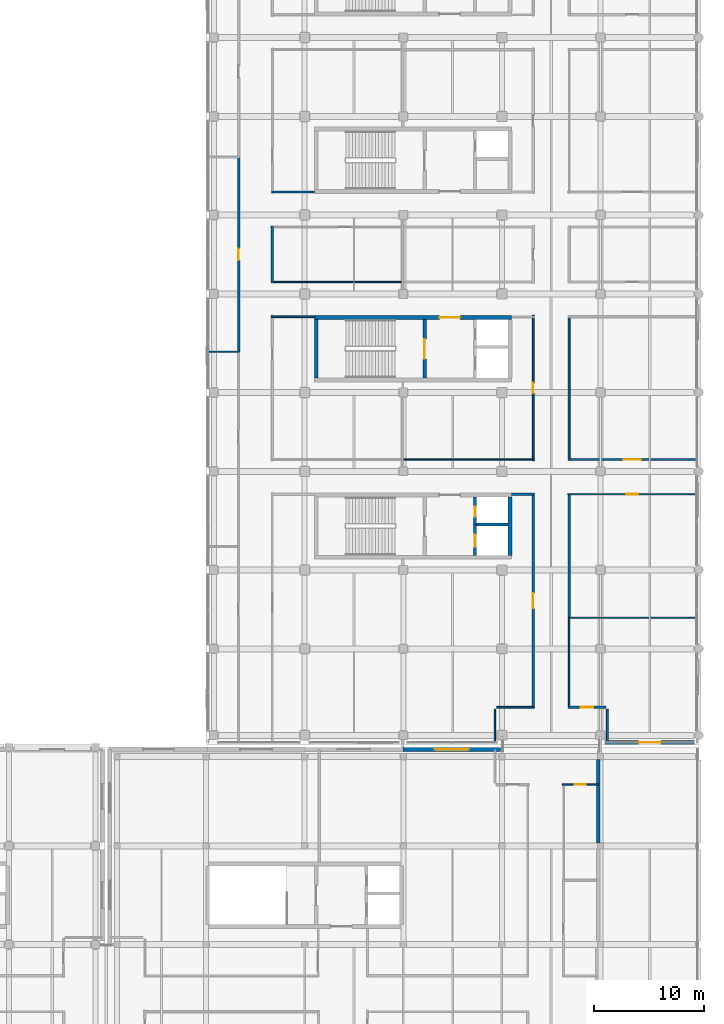
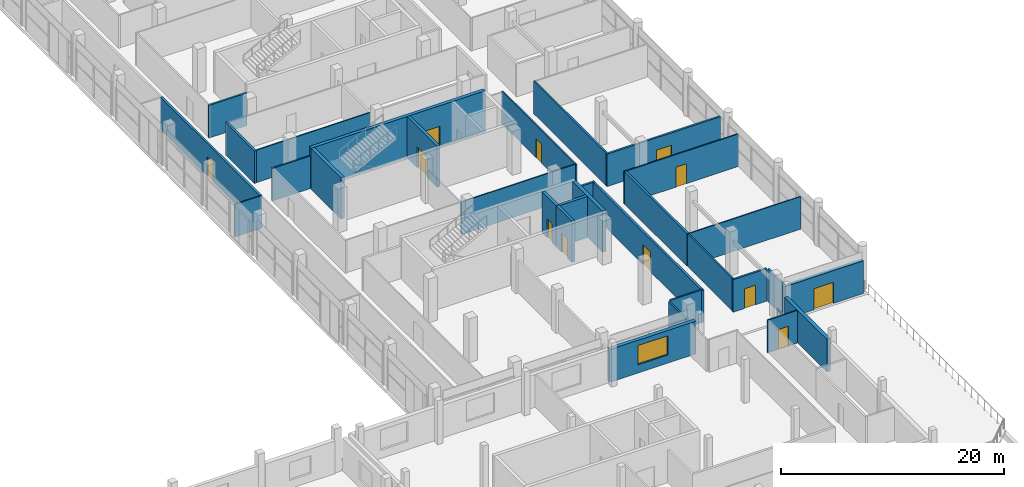
# One storey, part 77 of 111: 31 walls, 12 doors, 1 window, 13 openings.
"""IFC4 building model written with IfcOpenShell, lengths in metres."""

from ifc_helpers import new_model, si_unit, direction, frame, frame_2d, origin, place, context, subcontext, project, spatial, rectangle, extrude, material, layer, layer_set, type_object, element, fill, save


model = new_model("IFC4")

# Units and contexts
model_context = context("Model", 3, precision=1e-05, world=origin(), true_north=direction((0.0, 1.0)))
body_context = subcontext(model_context, "Body", "Model", "MODEL_VIEW")
ifc_project = project(units=[si_unit("LENGTHUNIT", "METRE"), si_unit("AREAUNIT", "SQUARE_METRE"), si_unit("VOLUMEUNIT", "CUBIC_METRE"), si_unit("PLANEANGLEUNIT", "RADIAN"), si_unit("MASSUNIT", "GRAM", prefix="KILO"), si_unit("THERMODYNAMICTEMPERATUREUNIT", "KELVIN"), si_unit("POWERUNIT", "WATT")], contexts=[model_context])

# Site, building, storey
site_placement = place(None, origin())
site = spatial("IfcSite", under=ifc_project, at=site_placement, CompositionType="ELEMENT")
building_placement = place(site_placement, origin())
building = spatial("IfcBuilding", under=site, at=building_placement, Name="Sindhuravela Promenade Stadium", CompositionType="ELEMENT")
storey_placement = place(building_placement, frame((0.0, 0.0, 9.60009765625)))
storey = spatial("IfcBuildingStorey", under=building, at=storey_placement, Name="L02", CompositionType="ELEMENT", Elevation=9.60009765625)

# Wall, opening, door
ifc_material_1 = material(Name="Terracotta clay brick masonry (15 MPa)", Category="masonry")
ifc_layer_1 = layer(ifc_material_1, 0.340087890625)
ifc_layer_set_1 = layer_set([ifc_layer_1], Name="Terracotta clay brick masonry (15 MPa)")
wall_type_1 = type_object("IfcWallType", Name="EX-WL-BRK340", PredefinedType="SOLIDWALL", material=ifc_layer_set_1)
wall_1_placement = place(storey_placement, frame((215.594970703125, 36.449951171875, 0.0), z_axis=(0.0, 0.0, 1.0), x_axis=(-1.0, 0.0, 0.0)))
wall_1 = element("IfcWall", 1, at=wall_1_placement, inside=storey, type_object=wall_type_1, Name="Exterior masonry wall EW06 EAST L02", PredefinedType="SOLIDWALL", context=body_context, shape_type="SweptSolid", body=[
    extrude(rectangle(XDim=8.18994140625, YDim=0.340087890625, at=frame_2d((4.094970703125, 0.0))), origin(), (0.0, 0.0, 1.0), 3.579833984375),
])
opening_1_placement = place(wall_1_placement, frame((3.070068359375, 0.0, 0.0)))
opening_1 = element("IfcOpeningElement", 2, at=opening_1_placement, cuts=wall_1, Name="Opening TD01", PredefinedType="OPENING", context=body_context, shape_type="SweptSolid", body=[
    extrude(rectangle(XDim=2.050048828125, YDim=2.300048828125, at=frame_2d((1.02490234375, 1.14990234375))), frame((0.0, 0.179931640625, 0.0), z_axis=(0.0, -1.0, 0.0), x_axis=(1.0, 0.0, 0.0)), (0.0, 0.0, 1.0), 0.360107421875),
])
ifc_material_2 = material(Name="Anodised architectural aluminium 6063-T6", Category="aluminium")
door_type_1 = type_object("IfcDoorType", Name="DR-TER-2050x2300", OperationType="DOUBLE_DOOR_SINGLE_SWING", PredefinedType="DOOR", material=ifc_material_2)
door_1_placement = place(opening_1_placement, origin())
door_1 = element("IfcDoor", 3, at=door_1_placement, inside=storey, type_object=door_type_1, Name="Terrace access door SE Pavilion East Terrace", OperationType="DOUBLE_DOOR_SINGLE_SWING", OverallHeight=2.300048828125, OverallWidth=2.050048828125, PredefinedType="DOOR", context=body_context, shape_type="SweptSolid", body=[
    extrude(rectangle(XDim=2.050048828125, YDim=2.300048828125, at=frame_2d((1.02490234375, 1.14990234375))), frame((0.0, 0.02490234375, 0.0), z_axis=(0.0, -1.0, 0.0), x_axis=(1.0, 0.0, 0.0)), (0.0, 0.0, 1.0), 0.050048828125),
])
fill(opening_1, door_1)

# Wall
ifc_layer_2 = layer(ifc_material_1, 0.360107421875)
ifc_layer_set_2 = layer_set([ifc_layer_2], Name="Terracotta clay brick masonry (15 MPa)")
wall_type_2 = type_object("IfcWallType", Name="EX-WL-BRK360", PredefinedType="SOLIDWALL", material=ifc_layer_set_2)
wall_2_placement = place(storey_placement, frame((206.800048828125, 34.8701171875, 0.0), z_axis=(0.0, 0.0, 1.0), x_axis=(0.0, -1.0, 0.0)))
element("IfcWall", 4, at=wall_2_placement, inside=storey, type_object=wall_type_2, Name="Exterior masonry wall EW05 Pavilion SE L02", PredefinedType="SOLIDWALL", context=body_context, shape_type="SweptSolid", body=[
    extrude(rectangle(XDim=7.590087890625, YDim=0.360107421875, at=frame_2d((3.794921875, 0.0))), origin(), (0.0, 0.0, 1.0), 3.579833984375),
])

# Wall, opening, window
ifc_layer_3 = layer(ifc_material_1, 0.3798828125)
ifc_layer_set_3 = layer_set([ifc_layer_3], Name="Terracotta clay brick masonry (15 MPa)")
wall_type_3 = type_object("IfcWallType", Name="EX-WL-BRK380", PredefinedType="SOLIDWALL", material=ifc_layer_set_3)
wall_3_placement = place(storey_placement, frame((188.9599609375, 35.800048828125, 0.0), z_axis=(0.0, 0.0, 1.0), x_axis=(1.0, 0.0, 0.0)))
wall_3 = element("IfcWall", 5, at=wall_3_placement, inside=storey, type_object=wall_type_3, Name="Exterior masonry wall EW04 Pavilion SE L02", PredefinedType="SOLIDWALL", context=body_context, shape_type="SweptSolid", body=[
    extrude(rectangle(XDim=8.919921875, YDim=0.3798828125, at=frame_2d((4.4599609375, 0.0))), origin(), (0.0, 0.0, 1.0), 3.579833984375),
])
opening_2_placement = place(wall_3_placement, frame((2.909912109375, 0.0, 0.89990234375)))
opening_2 = element("IfcOpeningElement", 6, at=opening_2_placement, cuts=wall_3, Name="Opening W21", PredefinedType="OPENING", context=body_context, shape_type="SweptSolid", body=[
    extrude(rectangle(XDim=3.10009765625, YDim=2.10009765625, at=frame_2d((1.550048828125, 1.050048828125))), frame((0.0, 0.199951171875, 0.0), z_axis=(0.0, -1.0, 0.0), x_axis=(1.0, 0.0, 0.0)), (0.0, 0.0, 1.0), 0.39990234375),
])
ifc_material_3 = material(Name="Tempered laminated low-E glass", Category="glass")
window_type = type_object("IfcWindowType", Name="WN-FAC-3100x2100", PartitioningType="DOUBLE_PANEL_VERTICAL", PredefinedType="WINDOW", material=ifc_material_3)
window_placement = place(opening_2_placement, origin())
window = element("IfcWindow", 7, at=window_placement, inside=storey, type_object=window_type, Name="Window W21 Pavilion SE L02", OverallHeight=2.10009765625, OverallWidth=3.10009765625, PartitioningType="DOUBLE_PANEL_VERTICAL", PredefinedType="WINDOW", context=body_context, shape_type="SweptSolid", body=[
    extrude(rectangle(XDim=3.10009765625, YDim=2.10009765625, at=frame_2d((1.550048828125, 1.050048828125))), frame((0.0, 0.030029296875, 0.0), z_axis=(0.0, -1.0, 0.0), x_axis=(1.0, 0.0, 0.0)), (0.0, 0.0, 1.0), 0.06005859375),
])
fill(opening_2, window)

# Walls
ifc_material_4 = material(Name="Fire-rated gypsum partition board", Category="gypsum")
ifc_layer_4 = layer(ifc_material_4, 0.110107421875)
ifc_layer_set_4 = layer_set([ifc_layer_4], Name="Fire-rated gypsum partition board")
wall_type_4 = type_object("IfcWallType", Name="IN-WL-PAR110", PredefinedType="PARTITIONING", material=ifc_layer_set_4)
wall_4_placement = place(storey_placement, frame((215.76708984375, 47.840087890625, 0.0), z_axis=(0.0, 0.0, 1.0), x_axis=(-1.0, 0.0, 0.0)))
element("IfcWall", 8, at=wall_4_placement, inside=storey, type_object=wall_type_4, Name="Interior partition IW06 EAST L02", PredefinedType="PARTITIONING", context=body_context, shape_type="SweptSolid", body=[
    extrude(rectangle(XDim=11.70703125, YDim=0.110107421875, at=frame_2d((5.853515625, 0.0))), origin(), (0.0, 0.0, 1.0), 3.559814453125),
])
for number, where, z_axis, x_axis, name in (
    (9, (200.93994140625, 62.2900390625, 0.0), (0.0, 0.0, 1.0), (-1.0, 0.0, 0.0), "Interior partition IW06 EAST L02"),
    (10, (188.909912109375, 78.489990234375, 0.0), (0.0, 0.0, 1.0), (-1.0, 0.0, 0.0), "Interior partition IW06 EAST L02"),
):
    element("IfcWall", number, at=place(storey_placement, frame(where, z_axis=z_axis, x_axis=x_axis)), inside=storey, type_object=wall_type_4, Name=name, PredefinedType="PARTITIONING", context=body_context, shape_type="SweptSolid", body=[
        extrude(rectangle(XDim=11.949951171875, YDim=0.110107421875, at=frame_2d((5.97509765625, 0.0))), origin(), (0.0, 0.0, 1.0), 3.559814453125),
    ])
wall_5_placement = place(storey_placement, frame((171.23291015625, 72.114013671875, 0.0), z_axis=(0.0, 0.0, 1.0), x_axis=(1.0, 0.0, 0.0)))
element("IfcWall", 11, at=wall_5_placement, inside=storey, type_object=wall_type_4, Name="Interior partition IW06 EAST L02", PredefinedType="PARTITIONING", context=body_context, shape_type="SweptSolid", body=[
    extrude(rectangle(XDim=2.80712890625, YDim=0.110107421875, at=frame_2d((1.403564453125, 0.0))), origin(), (0.0, 0.0, 1.0), 3.559814453125),
])

# Wall, opening, door
ifc_layer_5 = layer(ifc_material_4, 0.1298828125)
ifc_layer_set_5 = layer_set([ifc_layer_5], Name="Fire-rated gypsum partition board")
wall_type_5 = type_object("IfcWallType", Name="IN-WL-PAR130", PredefinedType="PARTITIONING", material=ifc_layer_set_5)
wall_6_placement = place(storey_placement, frame((215.800048828125, 59.110107421875, 0.0), z_axis=(0.0, 0.0, 1.0), x_axis=(-1.0, 0.0, 0.0)))
wall_6 = element("IfcWall", 12, at=wall_6_placement, inside=storey, type_object=wall_type_5, Name="Corridor partition IW05 Club Toilet Suite East L02", PredefinedType="PARTITIONING", context=body_context, shape_type="SweptSolid", body=[
    extrude(rectangle(XDim=11.780029296875, YDim=0.1298828125, at=frame_2d((5.89013671875, 0.0))), origin(), (0.0, 0.0, 1.0), 3.559814453125),
])
opening_3_placement = place(wall_6_placement, frame((5.35009765625, 0.0, 0.0)))
opening_3 = element("IfcOpeningElement", 13, at=opening_3_placement, cuts=wall_6, Name="Opening ID12", PredefinedType="OPENING", context=body_context, shape_type="SweptSolid", body=[
    extrude(rectangle(XDim=1.080078125, YDim=2.179931640625, at=frame_2d((0.5400390625, 1.08984375))), frame((0.0, 0.074951171875, 0.0), z_axis=(0.0, -1.0, 0.0), x_axis=(1.0, 0.0, 0.0)), (0.0, 0.0, 1.0), 0.14990234375),
])
ifc_material_5 = material(Name="Architectural teak timber leaf", Category="wood")
door_type_2 = type_object("IfcDoorType", Name="DR-INT-1080x2180", OperationType="NOTDEFINED", PredefinedType="DOOR", material=ifc_material_5)
door_2_placement = place(opening_3_placement, origin())
door_2 = element("IfcDoor", 14, at=door_2_placement, inside=storey, type_object=door_type_2, Name="Club Toilet Suite East L02 door", OperationType="SINGLE_SWING_RIGHT", OverallHeight=2.179931640625, OverallWidth=1.080078125, PredefinedType="DOOR", context=body_context, shape_type="SweptSolid", body=[
    extrude(rectangle(XDim=1.080078125, YDim=2.179931640625, at=frame_2d((0.5400390625, 1.08984375))), frame((0.0, 0.02490234375, 0.0), z_axis=(0.0, -1.0, 0.0), x_axis=(1.0, 0.0, 0.0)), (0.0, 0.0, 1.0), 0.050048828125),
])
fill(opening_3, door_2)

wall_7_placement = place(storey_placement, frame((206.800048828125, 32.590087890625, 0.0), z_axis=(0.0, 0.0, 1.0), x_axis=(-1.0, 0.0, 0.0)))
wall_7 = element("IfcWall", 15, at=wall_7_placement, inside=storey, type_object=wall_type_5, Name="Corridor partition IW05 Accessible WC SE L02 4", PredefinedType="PARTITIONING", context=body_context, shape_type="SweptSolid", body=[
    extrude(rectangle(XDim=3.280029296875, YDim=0.1298828125, at=frame_2d((1.64013671875, 0.0))), origin(), (0.0, 0.0, 1.0), 3.559814453125),
])
opening_4_placement = place(wall_7_placement, frame((1.1298828125, 0.0, 0.0)))
opening_4 = element("IfcOpeningElement", 16, at=opening_4_placement, cuts=wall_7, Name="Opening ID11", PredefinedType="OPENING", context=body_context, shape_type="SweptSolid", body=[
    extrude(rectangle(XDim=1.02001953125, YDim=2.159912109375, at=frame_2d((0.510009765625, 1.080078125))), frame((0.0, 0.074951171875, 0.0), z_axis=(0.0, -1.0, 0.0), x_axis=(1.0, 0.0, 0.0)), (0.0, 0.0, 1.0), 0.14990234375),
])
door_type_3 = type_object("IfcDoorType", Name="DR-INT-1020x2160", OperationType="NOTDEFINED", PredefinedType="DOOR", material=ifc_material_5)
door_3_placement = place(opening_4_placement, origin())
door_3 = element("IfcDoor", 17, at=door_3_placement, inside=storey, type_object=door_type_3, Name="Accessible WC SE L02 4 door", OperationType="SINGLE_SWING_RIGHT", OverallHeight=2.159912109375, OverallWidth=1.02001953125, PredefinedType="DOOR", context=body_context, shape_type="SweptSolid", body=[
    extrude(rectangle(XDim=1.02001953125, YDim=2.159912109375, at=frame_2d((0.510009765625, 1.080078125))), frame((0.0, 0.02490234375, 0.0), z_axis=(0.0, -1.0, 0.0), x_axis=(1.0, 0.0, 0.0)), (0.0, 0.0, 1.0), 0.050048828125),
])
fill(opening_4, door_3)

# Walls
ifc_layer_6 = layer(ifc_material_4, 0.14990234375)
ifc_layer_set_6 = layer_set([ifc_layer_6], Name="Fire-rated gypsum partition board")
wall_type_6 = type_object("IfcWallType", Name="IN-WL-PAR150", PredefinedType="PARTITIONING", material=ifc_layer_set_6)
wall_8_placement = place(storey_placement, frame((197.360107421875, 39.5, 0.0), z_axis=(0.0, 0.0, 1.0), x_axis=(0.0, -1.0, 0.0)))
element("IfcWall", 18, at=wall_8_placement, inside=storey, type_object=wall_type_6, Name="Interior partition IW04 EAST L02", PredefinedType="PARTITIONING", context=body_context, shape_type="SweptSolid", body=[
    extrude(rectangle(XDim=3.01708984375, YDim=0.14990234375, at=frame_2d((1.508544921875, 0.0))), origin(), (0.0, 0.0, 1.0), 3.559814453125),
])
wall_9_placement = place(storey_placement, frame((204.139892578125, 39.580078125, 0.0), z_axis=(0.0, 0.0, 1.0), x_axis=(0.0, 1.0, 0.0)))
element("IfcWall", 19, at=wall_9_placement, inside=storey, type_object=wall_type_6, Name="Interior partition IW04 EAST L02", PredefinedType="PARTITIONING", context=body_context, shape_type="SweptSolid", body=[
    extrude(rectangle(XDim=8.219970703125, YDim=0.14990234375, at=frame_2d((4.10986328125, 0.0))), origin(), (0.0, 0.0, 1.0), 3.559814453125),
])
wall_10_placement = place(storey_placement, frame((176.9599609375, 75.31005859375, 0.0), z_axis=(0.0, 0.0, 1.0), x_axis=(1.0, 0.0, 0.0)))
element("IfcWall", 20, at=wall_10_placement, inside=storey, type_object=wall_type_6, Name="Interior partition IW04 EAST L02", PredefinedType="PARTITIONING", context=body_context, shape_type="SweptSolid", body=[
    extrude(rectangle(XDim=3.93798828125, YDim=0.14990234375, at=frame_2d((1.968994140625, 0.0))), origin(), (0.0, 0.0, 1.0), 3.559814453125),
])

# Wall, opening, door
wall_11_placement = place(storey_placement, frame((200.860107421875, 62.169921875, 0.0), z_axis=(0.0, 0.0, 1.0), x_axis=(0.0, 1.0, 0.0)))
wall_11 = element("IfcWall", 21, at=wall_11_placement, inside=storey, type_object=wall_type_6, Name="Corridor partition IW04 Club Toilet Suite East L02 8", PredefinedType="PARTITIONING", context=body_context, shape_type="SweptSolid", body=[
    extrude(rectangle(XDim=13.260009765625, YDim=0.14990234375, at=frame_2d((6.6298828125, 0.0))), origin(), (0.0, 0.0, 1.0), 3.559814453125),
])
opening_5_placement = place(wall_11_placement, frame((6.155029296875, 0.0, 0.0)))
opening_5 = element("IfcOpeningElement", 22, at=opening_5_placement, cuts=wall_11, Name="Opening ID09", PredefinedType="OPENING", context=body_context, shape_type="SweptSolid", body=[
    extrude(rectangle(XDim=0.949951171875, YDim=2.10009765625, at=frame_2d((0.47509765625, 1.050048828125))), frame((0.0, 0.0849609375, 0.0), z_axis=(0.0, -1.0, 0.0), x_axis=(1.0, 0.0, 0.0)), (0.0, 0.0, 1.0), 0.169921875),
])
door_type_4 = type_object("IfcDoorType", Name="DR-INT-950x2100", OperationType="NOTDEFINED", PredefinedType="DOOR", material=ifc_material_5)
door_4_placement = place(opening_5_placement, origin())
door_4 = element("IfcDoor", 23, at=door_4_placement, inside=storey, type_object=door_type_4, Name="Club Toilet Suite East L02 8 door", OperationType="SINGLE_SWING_LEFT", OverallHeight=2.10009765625, OverallWidth=0.949951171875, PredefinedType="DOOR", context=body_context, shape_type="SweptSolid", body=[
    extrude(rectangle(XDim=0.949951171875, YDim=2.10009765625, at=frame_2d((0.47509765625, 1.050048828125))), frame((0.0, 0.02490234375, 0.0), z_axis=(0.0, -1.0, 0.0), x_axis=(1.0, 0.0, 0.0)), (0.0, 0.0, 1.0), 0.050048828125),
])
fill(opening_5, door_4)

# Walls
ifc_layer_7 = layer(ifc_material_4, 0.175048828125)
ifc_layer_set_7 = layer_set([ifc_layer_7], Name="Fire-rated gypsum partition board")
wall_type_7 = type_object("IfcWallType", Name="IN-WL-PAR175", PredefinedType="PARTITIONING", material=ifc_layer_set_7)
wall_12_placement = place(storey_placement, frame((200.93994140625, 39.659912109375, 0.0), z_axis=(0.0, 0.0, 1.0), x_axis=(-1.0, 0.0, 0.0)))
element("IfcWall", 24, at=wall_12_placement, inside=storey, type_object=wall_type_7, Name="Interior partition IW03 EAST L02", PredefinedType="PARTITIONING", context=body_context, shape_type="SweptSolid", body=[
    extrude(rectangle(XDim=3.419921875, YDim=0.175048828125, at=frame_2d((1.7099609375, 0.0))), origin(), (0.0, 0.0, 1.0), 3.559814453125),
])
wall_13_placement = place(storey_placement, frame((204.139892578125, 62.2099609375, 0.0), z_axis=(0.0, 0.0, 1.0), x_axis=(0.0, 1.0, 0.0)))
element("IfcWall", 25, at=wall_13_placement, inside=storey, type_object=wall_type_7, Name="Interior partition IW03 EAST L02", PredefinedType="PARTITIONING", context=body_context, shape_type="SweptSolid", body=[
    extrude(rectangle(XDim=13.179931640625, YDim=0.175048828125, at=frame_2d((6.58984375, 0.0))), origin(), (0.0, 0.0, 1.0), 3.559814453125),
])
wall_14_placement = place(storey_placement, frame((207.639892578125, 36.489990234375, 0.0), z_axis=(0.0, 0.0, 1.0), x_axis=(0.0, 1.0, 0.0)))
element("IfcWall", 26, at=wall_14_placement, inside=storey, type_object=wall_type_7, Name="Interior partition IW03 EAST L02", PredefinedType="PARTITIONING", context=body_context, shape_type="SweptSolid", body=[
    extrude(rectangle(XDim=3.010009765625, YDim=0.175048828125, at=frame_2d((1.5048828125, 0.0))), origin(), (0.0, 0.0, 1.0), 3.559814453125),
])
ifc_layer_8 = layer(ifc_material_4, 0.195068359375)
ifc_layer_set_8 = layer_set([ifc_layer_8], Name="Fire-rated gypsum partition board")
wall_type_8 = type_object("IfcWallType", Name="IN-WL-PAR195", PredefinedType="PARTITIONING", material=ifc_layer_set_8)
wall_15_placement = place(storey_placement, frame((198.902099609375, 59.110107421875, 0.0), z_axis=(0.0, 0.0, 1.0), x_axis=(1.0, 0.0, 0.0)))
element("IfcWall", 27, at=wall_15_placement, inside=storey, type_object=wall_type_8, Name="Interior partition IW02 EAST L02", PredefinedType="PARTITIONING", context=body_context, shape_type="SweptSolid", body=[
    extrude(rectangle(XDim=2.037841796875, YDim=0.195068359375, at=frame_2d((1.01904296875, 0.0))), origin(), (0.0, 0.0, 1.0), 3.559814453125),
])

# Wall, opening, door
wall_16_placement = place(storey_placement, frame((204.02001953125, 62.2900390625, 0.0), z_axis=(0.0, 0.0, 1.0), x_axis=(1.0, 0.0, 0.0)))
wall_16 = element("IfcWall", 28, at=wall_16_placement, inside=storey, type_object=wall_type_8, Name="Corridor partition IW02 Accessible WC East L02", PredefinedType="PARTITIONING", context=body_context, shape_type="SweptSolid", body=[
    extrude(rectangle(XDim=11.780029296875, YDim=0.195068359375, at=frame_2d((5.89013671875, 0.0))), origin(), (0.0, 0.0, 1.0), 3.559814453125),
])
opening_6_placement = place(wall_16_placement, frame((5.114990234375, 0.0, 0.0)))
opening_6 = element("IfcOpeningElement", 29, at=opening_6_placement, cuts=wall_16, Name="Opening ID02", PredefinedType="OPENING", context=body_context, shape_type="SweptSolid", body=[
    extrude(rectangle(XDim=1.550048828125, YDim=2.199951171875, at=frame_2d((0.77490234375, 1.10009765625))), frame((0.0, 0.107421875, 0.0), z_axis=(0.0, -1.0, 0.0), x_axis=(1.0, 0.0, 0.0)), (0.0, 0.0, 1.0), 0.215087890625),
])
door_type_5 = type_object("IfcDoorType", Name="DR-INT-1550x2200", OperationType="DOUBLE_DOOR_SINGLE_SWING", PredefinedType="DOOR", material=ifc_material_5)
door_5_placement = place(opening_6_placement, origin())
door_5 = element("IfcDoor", 30, at=door_5_placement, inside=storey, type_object=door_type_5, Name="Accessible WC East L02 door", OperationType="DOUBLE_DOOR_SINGLE_SWING", OverallHeight=2.199951171875, OverallWidth=1.550048828125, PredefinedType="DOOR", context=body_context, shape_type="SweptSolid", body=[
    extrude(rectangle(XDim=1.550048828125, YDim=2.199951171875, at=frame_2d((0.77490234375, 1.10009765625))), frame((0.0, 0.02490234375, 0.0), z_axis=(0.0, -1.0, 0.0), x_axis=(1.0, 0.0, 0.0)), (0.0, 0.0, 1.0), 0.050048828125),
])
fill(opening_6, door_5)

wall_17_placement = place(storey_placement, frame((204.02001953125, 39.659912109375, 0.0), z_axis=(0.0, 0.0, 1.0), x_axis=(1.0, 0.0, 0.0)))
wall_17 = element("IfcWall", 31, at=wall_17_placement, inside=storey, type_object=wall_type_8, Name="Corridor partition IW02 Members Dining Salon East 4", PredefinedType="PARTITIONING", context=body_context, shape_type="SweptSolid", body=[
    extrude(rectangle(XDim=3.5, YDim=0.195068359375, at=frame_2d((1.75, 0.0))), origin(), (0.0, 0.0, 1.0), 3.559814453125),
])
opening_7_placement = place(wall_17_placement, frame((1.175048828125, 0.0, 0.0)))
opening_7 = element("IfcOpeningElement", 32, at=opening_7_placement, cuts=wall_17, Name="Opening ID05", PredefinedType="OPENING", context=body_context, shape_type="SweptSolid", body=[
    extrude(rectangle(XDim=1.14990234375, YDim=2.14990234375, at=frame_2d((0.574951171875, 1.074951171875))), frame((0.0, 0.107421875, 0.0), z_axis=(0.0, -1.0, 0.0), x_axis=(1.0, 0.0, 0.0)), (0.0, 0.0, 1.0), 0.215087890625),
])
door_type_6 = type_object("IfcDoorType", Name="DR-INT-1150x2150", OperationType="NOTDEFINED", PredefinedType="DOOR", material=ifc_material_5)
door_6_placement = place(opening_7_placement, origin())
door_6 = element("IfcDoor", 33, at=door_6_placement, inside=storey, type_object=door_type_6, Name="Members Dining Salon East 4 door", OperationType="SINGLE_SWING_LEFT", OverallHeight=2.14990234375, OverallWidth=1.14990234375, PredefinedType="DOOR", context=body_context, shape_type="SweptSolid", body=[
    extrude(rectangle(XDim=1.14990234375, YDim=2.14990234375, at=frame_2d((0.574951171875, 1.074951171875))), frame((0.0, 0.02490234375, 0.0), z_axis=(0.0, -1.0, 0.0), x_axis=(1.0, 0.0, 0.0)), (0.0, 0.0, 1.0), 0.050048828125),
])
fill(opening_7, door_6)

# Wall
wall_18_placement = place(storey_placement, frame((180.89794921875, 86.68994140625, 0.0), z_axis=(0.0, 0.0, 1.0), x_axis=(-1.0, 0.0, 0.0)))
element("IfcWall", 34, at=wall_18_placement, inside=storey, type_object=wall_type_8, Name="Interior partition IW02 EAST L02", PredefinedType="PARTITIONING", context=body_context, shape_type="SweptSolid", body=[
    extrude(rectangle(XDim=3.93798828125, YDim=0.195068359375, at=frame_2d((1.968994140625, 0.0))), origin(), (0.0, 0.0, 1.0), 3.559814453125),
])

# Wall, opening, door
ifc_layer_9 = layer(ifc_material_4, 0.219970703125)
ifc_layer_set_9 = layer_set([ifc_layer_9], Name="Fire-rated gypsum partition board")
wall_type_9 = type_object("IfcWallType", Name="IN-WL-PAR220", PredefinedType="PARTITIONING", material=ifc_layer_set_9)
wall_19_placement = place(storey_placement, frame((200.860107421875, 39.5400390625, 0.0), z_axis=(0.0, 0.0, 1.0), x_axis=(0.0, 1.0, 0.0)))
wall_19 = element("IfcWall", 35, at=wall_19_placement, inside=storey, type_object=wall_type_9, Name="Corridor partition IW01 Museum Archive Reading Room", PredefinedType="PARTITIONING", context=body_context, shape_type="SweptSolid", body=[
    extrude(rectangle(XDim=19.68994140625, YDim=0.219970703125, at=frame_2d((9.844970703125, 0.0))), origin(), (0.0, 0.0, 1.0), 3.559814453125),
])
opening_8_placement = place(wall_19_placement, frame((9.14501953125, 0.0, 0.0)))
opening_8 = element("IfcOpeningElement", 36, at=opening_8_placement, cuts=wall_19, Name="Opening ID03", PredefinedType="OPENING", context=body_context, shape_type="SweptSolid", body=[
    extrude(rectangle(XDim=1.39990234375, YDim=2.14990234375, at=frame_2d((0.699951171875, 1.074951171875))), frame((0.0, 0.119873046875, 0.0), z_axis=(0.0, -1.0, 0.0), x_axis=(1.0, 0.0, 0.0)), (0.0, 0.0, 1.0), 0.239990234375),
])
door_type_7 = type_object("IfcDoorType", Name="DR-INT-1400x2150", OperationType="DOUBLE_DOOR_SINGLE_SWING", PredefinedType="DOOR", material=ifc_material_5)
door_7_placement = place(opening_8_placement, origin())
door_7 = element("IfcDoor", 37, at=door_7_placement, inside=storey, type_object=door_type_7, Name="Museum Archive Reading Room door", OperationType="DOUBLE_DOOR_SINGLE_SWING", OverallHeight=2.14990234375, OverallWidth=1.39990234375, PredefinedType="DOOR", context=body_context, shape_type="SweptSolid", body=[
    extrude(rectangle(XDim=1.39990234375, YDim=2.14990234375, at=frame_2d((0.699951171875, 1.074951171875))), frame((0.0, 0.02490234375, 0.0), z_axis=(0.0, -1.0, 0.0), x_axis=(1.0, 0.0, 0.0)), (0.0, 0.0, 1.0), 0.050048828125),
])
fill(opening_8, door_7)

# Walls
wall_20_placement = place(storey_placement, frame((204.139892578125, 47.8798828125, 0.0), z_axis=(0.0, 0.0, 1.0), x_axis=(0.0, 1.0, 0.0)))
element("IfcWall", 38, at=wall_20_placement, inside=storey, type_object=wall_type_9, Name="Interior partition IW01 EAST L02", PredefinedType="PARTITIONING", context=body_context, shape_type="SweptSolid", body=[
    extrude(rectangle(XDim=11.31005859375, YDim=0.219970703125, at=frame_2d((5.655029296875, 0.0))), origin(), (0.0, 0.0, 1.0), 3.559814453125),
])
wall_21_placement = place(storey_placement, frame((177.0400390625, 78.409912109375, 0.0), z_axis=(0.0, 0.0, 1.0), x_axis=(0.0, 1.0, 0.0)))
element("IfcWall", 39, at=wall_21_placement, inside=storey, type_object=wall_type_9, Name="Interior partition IW01 EAST L02", PredefinedType="PARTITIONING", context=body_context, shape_type="SweptSolid", body=[
    extrude(rectangle(XDim=5.18017578125, YDim=0.219970703125, at=frame_2d((2.590087890625, 0.0))), origin(), (0.0, 0.0, 1.0), 3.559814453125),
])

# Wall, opening, door
wall_22_placement = place(storey_placement, frame((173.9599609375, 72.114013671875, 0.0), z_axis=(0.0, 0.0, 1.0), x_axis=(0.0, 1.0, 0.0)))
wall_22 = element("IfcWall", 40, at=wall_22_placement, inside=storey, type_object=wall_type_9, Name="Corridor partition IW01 Sports Museum Trophy Gallery 16", PredefinedType="PARTITIONING", context=body_context, shape_type="SweptSolid", body=[
    extrude(rectangle(XDim=17.77197265625, YDim=0.219970703125, at=frame_2d((8.885986328125, 0.0))), origin(), (0.0, 0.0, 1.0), 3.559814453125),
])
opening_9_placement = place(wall_22_placement, frame((8.361083984375, 0.0, 0.0)))
opening_9 = element("IfcOpeningElement", 41, at=opening_9_placement, cuts=wall_22, Name="Opening ID07", PredefinedType="OPENING", context=body_context, shape_type="SweptSolid", body=[
    extrude(rectangle(XDim=1.050048828125, YDim=2.10009765625, at=frame_2d((0.52490234375, 1.050048828125))), frame((0.0, 0.119873046875, 0.0), z_axis=(0.0, -1.0, 0.0), x_axis=(1.0, 0.0, 0.0)), (0.0, 0.0, 1.0), 0.239990234375),
])
door_type_8 = type_object("IfcDoorType", Name="DR-INT-1050x2100", OperationType="NOTDEFINED", PredefinedType="DOOR", material=ifc_material_5)
door_8_placement = place(opening_9_placement, origin())
door_8 = element("IfcDoor", 42, at=door_8_placement, inside=storey, type_object=door_type_8, Name="Sports Museum Trophy Gallery 16 door", OperationType="SINGLE_SWING_LEFT", OverallHeight=2.10009765625, OverallWidth=1.050048828125, PredefinedType="DOOR", context=body_context, shape_type="SweptSolid", body=[
    extrude(rectangle(XDim=1.050048828125, YDim=2.10009765625, at=frame_2d((0.52490234375, 1.050048828125))), frame((0.0, 0.02490234375, 0.0), z_axis=(0.0, -1.0, 0.0), x_axis=(1.0, 0.0, 0.0)), (0.0, 0.0, 1.0), 0.050048828125),
])
fill(opening_9, door_8)

ifc_material_6 = material(Name="Concrete M50", Category="concrete")
ifc_layer_10 = layer(ifc_material_6, 0.300048828125)
ifc_layer_set_10 = layer_set([ifc_layer_10], Name="Concrete M50")
wall_type_10 = type_object("IfcWallType", Name="RC-SW-300", PredefinedType="SHEAR", material=ifc_layer_set_10)
wall_23_placement = place(storey_placement, frame((195.550048828125, 53.52490234375, 0.0), z_axis=(0.0, 0.0, 1.0), x_axis=(0.0, 1.0, 0.0)))
wall_23 = element("IfcWall", 43, at=wall_23_placement, inside=storey, type_object=wall_type_10, Name="Core shear wall C05-LFT (L02)", PredefinedType="SHEAR", context=body_context, shape_type="SweptSolid", body=[
    extrude(rectangle(XDim=2.8251953125, YDim=0.300048828125, at=frame_2d((1.41259765625, 0.0))), origin(), (0.0, 0.0, 1.0), 4.5),
])
opening_10_placement = place(wall_23_placement, frame((0.77490234375, 0.0, 0.0)))
opening_10 = element("IfcOpeningElement", 44, at=opening_10_placement, cuts=wall_23, Name="Opening LD", PredefinedType="OPENING", context=body_context, shape_type="SweptSolid", body=[
    extrude(rectangle(XDim=1.10009765625, YDim=2.10009765625, at=frame_2d((0.550048828125, 1.050048828125))), frame((0.0, 0.159912109375, 0.0), z_axis=(0.0, -1.0, 0.0), x_axis=(1.0, 0.0, 0.0)), (0.0, 0.0, 1.0), 0.320068359375),
])
ifc_material_7 = material(Name="Architectural wrought steel E350", Category="steel")
door_type_9 = type_object("IfcDoorType", Name="DR-LFT-1100x2100", OperationType="DOUBLE_DOOR_SLIDING", PredefinedType="DOOR", material=ifc_material_7)
door_9_placement = place(opening_10_placement, origin())
door_9 = element("IfcDoor", 45, at=door_9_placement, inside=storey, type_object=door_type_9, Name="Lift PL01 landing door (L02)", OperationType="DOUBLE_DOOR_SLIDING", OverallHeight=2.10009765625, OverallWidth=1.10009765625, PredefinedType="DOOR", context=body_context, shape_type="SweptSolid", body=[
    extrude(rectangle(XDim=1.10009765625, YDim=2.10009765625, at=frame_2d((0.550048828125, 1.050048828125))), frame((0.0, 0.02490234375, 0.0), z_axis=(0.0, -1.0, 0.0), x_axis=(1.0, 0.0, 0.0)), (0.0, 0.0, 1.0), 0.050048828125),
])
fill(opening_10, door_9)

wall_24_placement = place(storey_placement, frame((195.550048828125, 56.35009765625, 0.0), z_axis=(0.0, 0.0, 1.0), x_axis=(0.0, 1.0, 0.0)))
wall_24 = element("IfcWall", 46, at=wall_24_placement, inside=storey, type_object=wall_type_10, Name="Core shear wall C05-RSR (L02)", PredefinedType="SHEAR", context=body_context, shape_type="SweptSolid", body=[
    extrude(rectangle(XDim=2.52490234375, YDim=0.300048828125, at=frame_2d((1.262451171875, 0.0))), origin(), (0.0, 0.0, 1.0), 4.5),
])
opening_11_placement = place(wall_24_placement, frame((0.72509765625, 0.0, 0.0)))
opening_11 = element("IfcOpeningElement", 47, at=opening_11_placement, cuts=wall_24, Name="Opening FD03", PredefinedType="OPENING", context=body_context, shape_type="SweptSolid", body=[
    extrude(rectangle(XDim=0.89990234375, YDim=2.10009765625, at=frame_2d((0.449951171875, 1.050048828125))), frame((0.0, 0.159912109375, 0.0), z_axis=(0.0, -1.0, 0.0), x_axis=(1.0, 0.0, 0.0)), (0.0, 0.0, 1.0), 0.320068359375),
])
door_type_10 = type_object("IfcDoorType", Name="DR-RSR-900x2100", OperationType="NOTDEFINED", PredefinedType="DOOR", material=ifc_material_7)
door_10_placement = place(opening_11_placement, origin())
door_10 = element("IfcDoor", 48, at=door_10_placement, inside=storey, type_object=door_type_10, Name="Riser shaft access door C05 (L02)", OperationType="SINGLE_SWING_LEFT", OverallHeight=2.10009765625, OverallWidth=0.89990234375, PredefinedType="DOOR", context=body_context, shape_type="SweptSolid", body=[
    extrude(rectangle(XDim=0.89990234375, YDim=2.10009765625, at=frame_2d((0.449951171875, 1.050048828125))), frame((0.0, 0.02490234375, 0.0), z_axis=(0.0, -1.0, 0.0), x_axis=(1.0, 0.0, 0.0)), (0.0, 0.0, 1.0), 0.050048828125),
])
fill(opening_11, door_10)

# Wall
wall_25_placement = place(storey_placement, frame((195.699951171875, 56.35009765625, 0.0), z_axis=(0.0, 0.0, 1.0), x_axis=(1.0, 0.0, 0.0)))
element("IfcWall", 49, at=wall_25_placement, inside=storey, type_object=wall_type_10, Name="Core shear wall C05-DIV (L02)", PredefinedType="SHEAR", context=body_context, shape_type="SweptSolid", body=[
    extrude(rectangle(XDim=2.875, YDim=0.300048828125, at=frame_2d((1.4375, 0.0))), origin(), (0.0, 0.0, 1.0), 4.5),
])

# Wall, opening, door
wall_26_placement = place(storey_placement, frame((190.949951171875, 69.72509765625, 0.0), z_axis=(0.0, 0.0, 1.0), x_axis=(0.0, 1.0, 0.0)))
wall_26 = element("IfcWall", 50, at=wall_26_placement, inside=storey, type_object=wall_type_10, Name="Core shear wall C06-ST (L02)", PredefinedType="SHEAR", context=body_context, shape_type="SweptSolid", body=[
    extrude(rectangle(XDim=5.349853515625, YDim=0.300048828125, at=frame_2d((2.6748046875, 0.0))), origin(), (0.0, 0.0, 1.0), 4.5),
])
opening_12_placement = place(wall_26_placement, frame((1.75, 0.0, 0.0)))
opening_12 = element("IfcOpeningElement", 51, at=opening_12_placement, cuts=wall_26, Name="Opening FD01", PredefinedType="OPENING", context=body_context, shape_type="SweptSolid", body=[
    extrude(rectangle(XDim=1.800048828125, YDim=2.25, at=frame_2d((0.89990234375, 1.125))), frame((0.0, 0.159912109375, 0.0), z_axis=(0.0, -1.0, 0.0), x_axis=(1.0, 0.0, 0.0)), (0.0, 0.0, 1.0), 0.320068359375),
])
door_type_11 = type_object("IfcDoorType", Name="DR-CORE-1800x2250", OperationType="DOUBLE_DOOR_SINGLE_SWING", PredefinedType="DOOR", material=ifc_material_7)
door_11_placement = place(opening_12_placement, origin())
door_11 = element("IfcDoor", 52, at=door_11_placement, inside=storey, type_object=door_type_11, Name="Stair ST06 lobby fire door (L02)", OperationType="DOUBLE_DOOR_SINGLE_SWING", OverallHeight=2.25, OverallWidth=1.800048828125, PredefinedType="DOOR", context=body_context, shape_type="SweptSolid", body=[
    extrude(rectangle(XDim=1.800048828125, YDim=2.25, at=frame_2d((0.89990234375, 1.125))), frame((0.0, 0.02490234375, 0.0), z_axis=(0.0, -1.0, 0.0), x_axis=(1.0, 0.0, 0.0)), (0.0, 0.0, 1.0), 0.050048828125),
])
fill(opening_12, door_11)

# Wall
ifc_layer_11 = layer(ifc_material_6, 0.35009765625)
ifc_layer_set_11 = layer_set([ifc_layer_11], Name="Concrete M50")
wall_type_11 = type_object("IfcWallType", Name="RC-SW-350", PredefinedType="SHEAR", material=ifc_layer_set_11)
wall_27_placement = place(storey_placement, frame((198.75, 53.52490234375, 0.0), z_axis=(0.0, 0.0, 1.0), x_axis=(0.0, 1.0, 0.0)))
element("IfcWall", 53, at=wall_27_placement, inside=storey, type_object=wall_type_11, Name="Core shear wall C05-E (L02)", PredefinedType="SHEAR", context=body_context, shape_type="SweptSolid", body=[
    extrude(rectangle(XDim=5.35009765625, YDim=0.35009765625, at=frame_2d((2.675048828125, 0.0))), origin(), (0.0, 0.0, 1.0), 4.5),
])

# Wall, opening, door
wall_28_placement = place(storey_placement, frame((198.89990234375, 75.25, 0.0), z_axis=(0.0, 0.0, 1.0), x_axis=(-1.0, 0.0, 0.0)))
wall_28 = element("IfcWall", 54, at=wall_28_placement, inside=storey, type_object=wall_type_11, Name="Core shear wall C06-N (L02)", PredefinedType="SHEAR", context=body_context, shape_type="SweptSolid", body=[
    extrude(rectangle(XDim=18.0, YDim=0.35009765625, at=frame_2d((9.0, 0.0))), origin(), (0.0, 0.0, 1.0), 4.5),
])
opening_13_placement = place(wall_28_placement, frame((4.699951171875, 0.0, 0.0)))
opening_13 = element("IfcOpeningElement", 55, at=opening_13_placement, cuts=wall_28, Name="Opening FD02", PredefinedType="OPENING", context=body_context, shape_type="SweptSolid", body=[
    extrude(rectangle(XDim=1.89990234375, YDim=2.25, at=frame_2d((0.949951171875, 1.125))), frame((0.0, 0.18505859375, 0.0), z_axis=(0.0, -1.0, 0.0), x_axis=(1.0, 0.0, 0.0)), (0.0, 0.0, 1.0), 0.3701171875),
])
door_type_12 = type_object("IfcDoorType", Name="DR-LOB-1900x2250", OperationType="DOUBLE_DOOR_SINGLE_SWING", PredefinedType="DOOR", material=ifc_material_7)
door_12_placement = place(opening_13_placement, origin())
door_12 = element("IfcDoor", 56, at=door_12_placement, inside=storey, type_object=door_type_12, Name="Protected lobby entrance door C06 (L02)", OperationType="DOUBLE_DOOR_SINGLE_SWING", OverallHeight=2.25, OverallWidth=1.89990234375, PredefinedType="DOOR", context=body_context, shape_type="SweptSolid", body=[
    extrude(rectangle(XDim=1.89990234375, YDim=2.25, at=frame_2d((0.949951171875, 1.125))), frame((0.0, 0.02490234375, 0.0), z_axis=(0.0, -1.0, 0.0), x_axis=(1.0, 0.0, 0.0)), (0.0, 0.0, 1.0), 0.050048828125),
])
fill(opening_13, door_12)

# Wall
wall_29_placement = place(storey_placement, frame((181.050048828125, 75.074951171875, 0.0), z_axis=(0.0, 0.0, 1.0), x_axis=(0.0, -1.0, 0.0)))
element("IfcWall", 57, at=wall_29_placement, inside=storey, type_object=wall_type_11, Name="Core shear wall C06-W (L02)", PredefinedType="SHEAR", context=body_context, shape_type="SweptSolid", body=[
    extrude(rectangle(XDim=5.349853515625, YDim=0.35009765625, at=frame_2d((2.6748046875, 0.0))), origin(), (0.0, 0.0, 1.0), 4.5),
])

save(model, "model.ifc")
